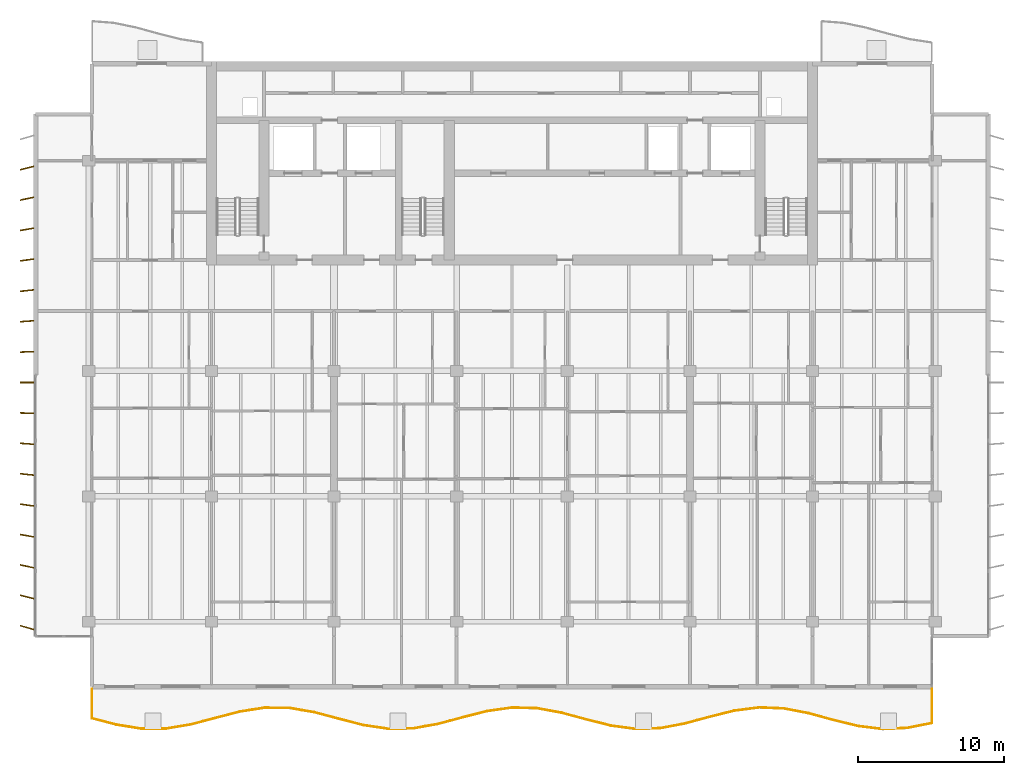
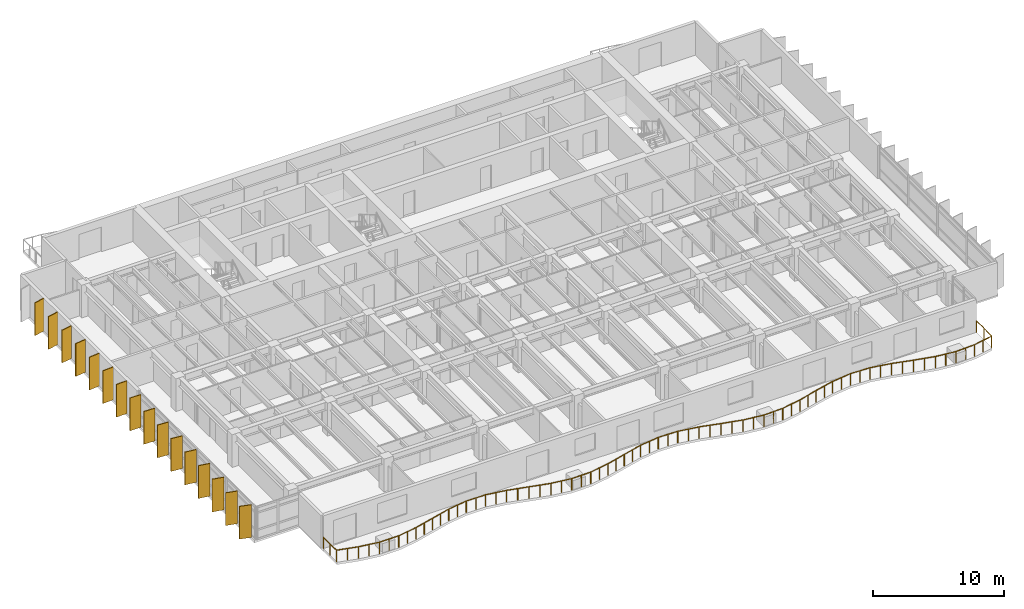
# One storey, part 16 of 19: 16 shading devices, 1 railing.
"""IFC4 building model written with IfcOpenShell, lengths in metres."""

from ifc_helpers import new_model, si_unit, direction, frame, origin, origin_2d, place, context, subcontext, project, spatial, rectangle, circle, extrude, material, material_profile, profile_set, type_object, element, save


model = new_model("IFC4")

# Units and contexts
model_context = context("Model", 3, precision=1e-05, world=origin(), true_north=direction((0.0, 1.0)))
body_context = subcontext(model_context, "Body", "Model", "MODEL_VIEW")
ifc_project = project(units=[si_unit("LENGTHUNIT", "METRE"), si_unit("AREAUNIT", "SQUARE_METRE"), si_unit("VOLUMEUNIT", "CUBIC_METRE"), si_unit("PLANEANGLEUNIT", "RADIAN"), si_unit("MASSUNIT", "GRAM", prefix="KILO")], contexts=[model_context])

# Site, building, storey
site_placement = place(None, origin())
site = spatial("IfcSite", under=ifc_project, at=site_placement, CompositionType="ELEMENT")
building_placement = place(site_placement, origin())
building = spatial("IfcBuilding", under=site, at=building_placement, Name="Caelmar Bay Residences", CompositionType="ELEMENT")
storey_placement = place(building_placement, frame((0.0, 0.0, 191.699951171875)))
storey = spatial("IfcBuildingStorey", under=building, at=storey_placement, Name="L53", CompositionType="ELEMENT", Elevation=191.699951171875)

# Railing
ifc_material_1 = material(Name="Anodised bronze handrail with laminated hurricane glass infill", Category="glass")
railing_type = type_object("IfcRailingType", Name="RL-BAL-1100", PredefinedType="BALUSTRADE", material=ifc_material_1)
railing_placement = place(storey_placement, frame((10.10009765625, 7.60009765625, 0.0)))
element("IfcRailing", 1, at=railing_placement, inside=storey, type_object=railing_type, Name="L53 south Balcony Balustrade", PredefinedType="BALUSTRADE", context=body_context, shape_type="SweptSolid", body=[
    extrude(circle(Radius=0.02392578125, at=origin_2d()), frame((0.0, 0.0, 1.076171875), z_axis=(0.0, -1.0, 0.0), x_axis=(1.0, 0.0, 0.0)), (0.0, 0.0, 1.0), 2.02001953125),
    extrude(circle(Radius=0.02392578125, at=origin_2d()), frame((0.0, -2.02001953125, 1.076171875), z_axis=(0.967316068749, -0.253573703567, 0.0), x_axis=(0.253573703567, 0.967316068749, 0.0)), (0.0, 0.0, 1.0), 1.751220703125),
    extrude(circle(Radius=0.02392578125, at=origin_2d()), frame((1.694091796875, -2.464111328125, 1.076171875), z_axis=(0.987379289036, -0.158373418172, 0.0), x_axis=(0.158373418172, 0.987379289036, 0.0)), (0.0, 0.0, 1.0), 1.7158203125),
    extrude(circle(Radius=0.02392578125, at=origin_2d()), frame((3.38818359375, -2.73583984375, 1.076171875), z_axis=(0.999992980303, 0.003746911297, 0.0), x_axis=(-0.003746911297, 0.999992980303, 0.0)), (0.0, 0.0, 1.0), 1.694091796875),
    extrude(circle(Radius=0.02392578125, at=origin_2d()), frame((5.082275390625, -2.7294921875, 1.076171875), z_axis=(0.98647449258, 0.163914842188, 0.0), x_axis=(-0.163914842188, 0.98647449258, 0.0)), (0.0, 0.0, 1.0), 1.71728515625),
    extrude(circle(Radius=0.02392578125, at=origin_2d()), frame((6.7763671875, -2.447998046875, 1.076171875), z_axis=(0.966801461741, 0.255528733367, 0.0), x_axis=(-0.255528733367, 0.966801461741, 0.0)), (0.0, 0.0, 1.0), 1.752197265625),
    extrude(circle(Radius=0.02392578125, at=origin_2d()), frame((8.470458984375, -2.000244140625, 1.076171875), z_axis=(0.967895162312, 0.251354241604, 0.0), x_axis=(-0.251354241604, 0.967895162312, 0.0)), (0.0, 0.0, 1.0), 1.750244140625),
    extrude(circle(Radius=0.02392578125, at=origin_2d()), frame((10.16455078125, -1.560302734375, 1.076171875), z_axis=(0.988276004953, 0.152677889798, 0.0), x_axis=(-0.152677889798, 0.988276004953, 0.0)), (0.0, 0.0, 1.0), 1.714111328125),
    extrude(circle(Radius=0.02392578125, at=origin_2d()), frame((11.858642578125, -1.298583984375, 1.076171875), z_axis=(0.999940025817, -0.010951929956, 0.0), x_axis=(0.010951929956, 0.999940025817, 0.0)), (0.0, 0.0, 1.0), 1.694091796875),
    extrude(circle(Radius=0.02392578125, at=origin_2d()), frame((13.552734375, -1.317138671875, 1.076171875), z_axis=(0.985520725167, -0.169555006607, 0.0), x_axis=(0.169555006607, 0.985520725167, 0.0)), (0.0, 0.0, 1.0), 1.71923828125),
    extrude(circle(Radius=0.02392578125, at=origin_2d()), frame((15.2470703125, -1.608642578125, 1.076171875), z_axis=(0.966318097906, -0.257350604544, 0.0), x_axis=(0.257350604544, 0.966318097906, 0.0)), (0.0, 0.0, 1.0), 1.753173828125),
    extrude(circle(Radius=0.02392578125, at=origin_2d()), frame((16.941162109375, -2.059814453125, 1.076171875), z_axis=(0.968503511983, -0.248999894131, 0.0), x_axis=(0.248999894131, 0.968503511983, 0.0)), (0.0, 0.0, 1.0), 1.749267578125),
    extrude(circle(Radius=0.02392578125, at=origin_2d()), frame((18.63525390625, -2.495361328125, 1.076171875), z_axis=(0.98918278696, -0.146688152152, 0.0), x_axis=(0.146688152152, 0.98918278696, 0.0)), (0.0, 0.0, 1.0), 1.712646484375),
    extrude(circle(Radius=0.02392578125, at=origin_2d()), frame((20.329345703125, -2.74658203125, 1.076171875), z_axis=(0.999835179989, 0.018155243216, 0.0), x_axis=(-0.018155243216, 0.999835179989, 0.0)), (0.0, 0.0, 1.0), 1.6943359375),
    extrude(circle(Radius=0.02392578125, at=origin_2d()), frame((22.0234375, -2.7158203125, 1.076171875), z_axis=(0.984577175613, 0.174950808118, 0.0), x_axis=(-0.174950808118, 0.984577175613, 0.0)), (0.0, 0.0, 1.0), 1.720703125),
    extrude(circle(Radius=0.02392578125, at=origin_2d()), frame((23.717529296875, -2.414794921875, 1.076171875), z_axis=(0.96590144292, 0.258910027934, 0.0), x_axis=(-0.258910027934, 0.96590144292, 0.0)), (0.0, 0.0, 1.0), 1.75390625),
    extrude(circle(Radius=0.02392578125, at=origin_2d()), frame((25.41162109375, -1.960693359375, 1.076171875), z_axis=(0.969106885695, 0.246641124101, 0.0), x_axis=(-0.246641124101, 0.969106885695, 0.0)), (0.0, 0.0, 1.0), 1.748046875),
    extrude(circle(Radius=0.02392578125, at=origin_2d()), frame((27.105712890625, -1.529541015625, 1.076171875), z_axis=(0.990054800784, 0.140682235707, 0.0), x_axis=(-0.140682235707, 0.990054800784, 0.0)), (0.0, 0.0, 1.0), 1.711181640625),
    extrude(circle(Radius=0.02392578125, at=origin_2d()), frame((28.7998046875, -1.288818359375, 1.076171875), z_axis=(0.999674829685, -0.025499703827, 0.0), x_axis=(0.025499703827, 0.999674829685, 0.0)), (0.0, 0.0, 1.0), 1.694580078125),
    extrude(circle(Radius=0.02392578125, at=origin_2d()), frame((30.493896484375, -1.33203125, 1.076171875), z_axis=(0.983660572564, -0.180032991376, 0.0), x_axis=(0.180032991376, 0.983660572564, 0.0)), (0.0, 0.0, 1.0), 1.72216796875),
    extrude(circle(Radius=0.02392578125, at=origin_2d()), frame((32.18798828125, -1.64208984375, 1.076171875), z_axis=(0.965492072584, -0.260432443786, 0.0), x_axis=(0.260432443786, 0.965492072584, 0.0)), (0.0, 0.0, 1.0), 1.7548828125),
    extrude(circle(Radius=0.02392578125, at=origin_2d()), frame((33.88232421875, -2.09912109375, 1.076171875), z_axis=(0.969771427493, -0.24401511924, 0.0), x_axis=(0.24401511924, 0.969771427493, 0.0)), (0.0, 0.0, 1.0), 1.746826171875),
    extrude(circle(Radius=0.02392578125, at=origin_2d()), frame((35.576416015625, -2.525390625, 1.076171875), z_axis=(0.990910806359, -0.134520533159, 0.0), x_axis=(0.134520533159, 0.990910806359, 0.0)), (0.0, 0.0, 1.0), 1.709716796875),
    extrude(circle(Radius=0.02392578125, at=origin_2d()), frame((37.2705078125, -2.75537109375, 1.076171875), z_axis=(0.999470034304, 0.032552273779, 0.0), x_axis=(-0.032552273779, 0.999470034304, 0.0)), (0.0, 0.0, 1.0), 1.695068359375),
    extrude(circle(Radius=0.02392578125, at=origin_2d()), frame((38.964599609375, -2.7001953125, 1.076171875), z_axis=(0.982667981804, 0.185374317363, 0.0), x_axis=(-0.185374317363, 0.982667981804, 0.0)), (0.0, 0.0, 1.0), 1.723876953125),
    extrude(circle(Radius=0.02392578125, at=origin_2d()), frame((40.65869140625, -2.380615234375, 1.076171875), z_axis=(0.965167121491, 0.261634148368, 0.0), x_axis=(-0.261634148368, 0.965167121491, 0.0)), (0.0, 0.0, 1.0), 1.755126953125),
    extrude(circle(Radius=0.02392578125, at=origin_2d()), frame((42.352783203125, -1.92138671875, 1.076171875), z_axis=(0.970503363819, 0.241087579139, 0.0), x_axis=(-0.241087579139, 0.970503363819, 0.0)), (0.0, 0.0, 1.0), 1.745849609375),
    extrude(circle(Radius=0.02392578125, at=origin_2d()), frame((44.047119140625, -1.50048828125, 1.076171875), z_axis=(0.991711614324, 0.128483750004, 0.0), x_axis=(-0.128483750004, 0.991711614324, 0.0)), (0.0, 0.0, 1.0), 1.708251953125),
    extrude(circle(Radius=0.02392578125, at=origin_2d()), frame((45.7412109375, -1.281005859375, 1.076171875), z_axis=(0.999204175887, -0.03988752799, 0.0), x_axis=(0.03988752799, 0.999204175887, 0.0)), (0.0, 0.0, 1.0), 1.695556640625),
    extrude(circle(Radius=0.02392578125, at=origin_2d()), frame((47.435302734375, -1.3486328125, 1.076171875), z_axis=(0.981727876523, -0.190290242675, 0.0), x_axis=(0.190290242675, 0.981727876523, 0.0)), (0.0, 0.0, 1.0), 1.7255859375),
    extrude(circle(Radius=0.02392578125, at=origin_2d()), frame((49.12939453125, -1.677001953125, 1.076171875), z_axis=(0.964850406209, -0.262799721535, 0.0), x_axis=(0.262799721535, 0.964850406209, 0.0)), (0.0, 0.0, 1.0), 1.755859375),
    extrude(circle(Radius=0.02392578125, at=origin_2d()), frame((50.823486328125, -2.138427734375, 1.076171875), z_axis=(0.971211455087, -0.238219036829, 0.0), x_axis=(0.238219036829, 0.971211455087, 0.0)), (0.0, 0.0, 1.0), 1.744384765625),
    extrude(circle(Radius=0.02392578125, at=origin_2d()), frame((52.517578125, -2.553955078125, 1.076171875), z_axis=(0.992528875656, -0.122009962665, 0.0), x_axis=(0.122009962665, 0.992528875656, 0.0)), (0.0, 0.0, 1.0), 1.706787109375),
    extrude(circle(Radius=0.02392578125, at=origin_2d()), frame((54.211669921875, -2.76220703125, 1.076171875), z_axis=(0.998891465735, 0.04707270634, 0.0), x_axis=(-0.04707270634, 0.998891465735, 0.0)), (0.0, 0.0, 1.0), 1.696044921875),
    extrude(circle(Radius=0.02392578125, at=origin_2d()), frame((55.90576171875, -2.682373046875, 1.076171875), z_axis=(0.980792119991, 0.195055933937, 0.0), x_axis=(-0.195055933937, 0.980792119991, 0.0)), (0.0, 0.0, 1.0), 1.727294921875),
    extrude(circle(Radius=0.02392578125, at=origin_2d()), frame((57.599853515625, -2.345458984375, 1.076171875), z_axis=(0.0, 1.0, 0.0), x_axis=(-1.0, 0.0, 0.0)), (0.0, 0.0, 1.0), 2.345458984375),
    extrude(circle(Radius=0.02099609375, at=origin_2d()), origin(), (0.0, 0.0, 1.0), 1.052001953125),
    extrude(circle(Radius=0.02099609375, at=origin_2d()), frame((0.0, -1.010009765625, 0.0)), (0.0, 0.0, 1.0), 1.052001953125),
    extrude(circle(Radius=0.02099609375, at=origin_2d()), frame((0.0, -2.02001953125, 0.0)), (0.0, 0.0, 1.0), 1.052001953125),
    extrude(circle(Radius=0.02099609375, at=origin_2d()), frame((0.84716796875, -2.2421875, 0.0)), (0.0, 0.0, 1.0), 1.052001953125),
    extrude(circle(Radius=0.02099609375, at=origin_2d()), frame((1.694091796875, -2.464111328125, 0.0)), (0.0, 0.0, 1.0), 1.052001953125),
    extrude(circle(Radius=0.02099609375, at=origin_2d()), frame((2.541015625, -2.60009765625, 0.0)), (0.0, 0.0, 1.0), 1.052001953125),
    extrude(circle(Radius=0.02099609375, at=origin_2d()), frame((3.38818359375, -2.73583984375, 0.0)), (0.0, 0.0, 1.0), 1.052001953125),
    extrude(circle(Radius=0.02099609375, at=origin_2d()), frame((4.2353515625, -2.732666015625, 0.0)), (0.0, 0.0, 1.0), 1.052001953125),
    extrude(circle(Radius=0.02099609375, at=origin_2d()), frame((5.082275390625, -2.7294921875, 0.0)), (0.0, 0.0, 1.0), 1.052001953125),
    extrude(circle(Radius=0.02099609375, at=origin_2d()), frame((5.92919921875, -2.5888671875, 0.0)), (0.0, 0.0, 1.0), 1.052001953125),
    extrude(circle(Radius=0.02099609375, at=origin_2d()), frame((6.7763671875, -2.447998046875, 0.0)), (0.0, 0.0, 1.0), 1.052001953125),
    extrude(circle(Radius=0.02099609375, at=origin_2d()), frame((7.62353515625, -2.22412109375, 0.0)), (0.0, 0.0, 1.0), 1.052001953125),
    extrude(circle(Radius=0.02099609375, at=origin_2d()), frame((8.470458984375, -2.000244140625, 0.0)), (0.0, 0.0, 1.0), 1.052001953125),
    extrude(circle(Radius=0.02099609375, at=origin_2d()), frame((9.3173828125, -1.7802734375, 0.0)), (0.0, 0.0, 1.0), 1.052001953125),
    extrude(circle(Radius=0.02099609375, at=origin_2d()), frame((10.16455078125, -1.560302734375, 0.0)), (0.0, 0.0, 1.0), 1.052001953125),
    extrude(circle(Radius=0.02099609375, at=origin_2d()), frame((11.01171875, -1.429443359375, 0.0)), (0.0, 0.0, 1.0), 1.052001953125),
    extrude(circle(Radius=0.02099609375, at=origin_2d()), frame((11.858642578125, -1.298583984375, 0.0)), (0.0, 0.0, 1.0), 1.052001953125),
    extrude(circle(Radius=0.02099609375, at=origin_2d()), frame((12.70556640625, -1.307861328125, 0.0)), (0.0, 0.0, 1.0), 1.052001953125),
    extrude(circle(Radius=0.02099609375, at=origin_2d()), frame((13.552734375, -1.317138671875, 0.0)), (0.0, 0.0, 1.0), 1.052001953125),
    extrude(circle(Radius=0.02099609375, at=origin_2d()), frame((14.39990234375, -1.462890625, 0.0)), (0.0, 0.0, 1.0), 1.052001953125),
    extrude(circle(Radius=0.02099609375, at=origin_2d()), frame((15.2470703125, -1.608642578125, 0.0)), (0.0, 0.0, 1.0), 1.052001953125),
    extrude(circle(Radius=0.02099609375, at=origin_2d()), frame((16.09423828125, -1.834228515625, 0.0)), (0.0, 0.0, 1.0), 1.052001953125),
    extrude(circle(Radius=0.02099609375, at=origin_2d()), frame((16.941162109375, -2.059814453125, 0.0)), (0.0, 0.0, 1.0), 1.052001953125),
    extrude(circle(Radius=0.02099609375, at=origin_2d()), frame((17.7880859375, -2.277587890625, 0.0)), (0.0, 0.0, 1.0), 1.052001953125),
    extrude(circle(Radius=0.02099609375, at=origin_2d()), frame((18.63525390625, -2.495361328125, 0.0)), (0.0, 0.0, 1.0), 1.052001953125),
    extrude(circle(Radius=0.02099609375, at=origin_2d()), frame((19.482421875, -2.62109375, 0.0)), (0.0, 0.0, 1.0), 1.052001953125),
    extrude(circle(Radius=0.02099609375, at=origin_2d()), frame((20.329345703125, -2.74658203125, 0.0)), (0.0, 0.0, 1.0), 1.052001953125),
    extrude(circle(Radius=0.02099609375, at=origin_2d()), frame((21.17626953125, -2.731201171875, 0.0)), (0.0, 0.0, 1.0), 1.052001953125),
    extrude(circle(Radius=0.02099609375, at=origin_2d()), frame((22.0234375, -2.7158203125, 0.0)), (0.0, 0.0, 1.0), 1.052001953125),
    extrude(circle(Radius=0.02099609375, at=origin_2d()), frame((22.87060546875, -2.5654296875, 0.0)), (0.0, 0.0, 1.0), 1.052001953125),
    extrude(circle(Radius=0.02099609375, at=origin_2d()), frame((23.717529296875, -2.414794921875, 0.0)), (0.0, 0.0, 1.0), 1.052001953125),
    extrude(circle(Radius=0.02099609375, at=origin_2d()), frame((24.564453125, -2.187744140625, 0.0)), (0.0, 0.0, 1.0), 1.052001953125),
    extrude(circle(Radius=0.02099609375, at=origin_2d()), frame((25.41162109375, -1.960693359375, 0.0)), (0.0, 0.0, 1.0), 1.052001953125),
    extrude(circle(Radius=0.02099609375, at=origin_2d()), frame((26.2587890625, -1.7451171875, 0.0)), (0.0, 0.0, 1.0), 1.052001953125),
    extrude(circle(Radius=0.02099609375, at=origin_2d()), frame((27.105712890625, -1.529541015625, 0.0)), (0.0, 0.0, 1.0), 1.052001953125),
    extrude(circle(Radius=0.02099609375, at=origin_2d()), frame((27.95263671875, -1.4091796875, 0.0)), (0.0, 0.0, 1.0), 1.052001953125),
    extrude(circle(Radius=0.02099609375, at=origin_2d()), frame((28.7998046875, -1.288818359375, 0.0)), (0.0, 0.0, 1.0), 1.052001953125),
    extrude(circle(Radius=0.02099609375, at=origin_2d()), frame((29.64697265625, -1.310546875, 0.0)), (0.0, 0.0, 1.0), 1.052001953125),
    extrude(circle(Radius=0.02099609375, at=origin_2d()), frame((30.493896484375, -1.33203125, 0.0)), (0.0, 0.0, 1.0), 1.052001953125),
    extrude(circle(Radius=0.02099609375, at=origin_2d()), frame((31.3408203125, -1.487060546875, 0.0)), (0.0, 0.0, 1.0), 1.052001953125),
    extrude(circle(Radius=0.02099609375, at=origin_2d()), frame((32.18798828125, -1.64208984375, 0.0)), (0.0, 0.0, 1.0), 1.052001953125),
    extrude(circle(Radius=0.02099609375, at=origin_2d()), frame((33.03515625, -1.87060546875, 0.0)), (0.0, 0.0, 1.0), 1.052001953125),
    extrude(circle(Radius=0.02099609375, at=origin_2d()), frame((33.88232421875, -2.09912109375, 0.0)), (0.0, 0.0, 1.0), 1.052001953125),
    extrude(circle(Radius=0.02099609375, at=origin_2d()), frame((34.7294921875, -2.312255859375, 0.0)), (0.0, 0.0, 1.0), 1.052001953125),
    extrude(circle(Radius=0.02099609375, at=origin_2d()), frame((35.576416015625, -2.525390625, 0.0)), (0.0, 0.0, 1.0), 1.052001953125),
    extrude(circle(Radius=0.02099609375, at=origin_2d()), frame((36.42333984375, -2.640380859375, 0.0)), (0.0, 0.0, 1.0), 1.052001953125),
    extrude(circle(Radius=0.02099609375, at=origin_2d()), frame((37.2705078125, -2.75537109375, 0.0)), (0.0, 0.0, 1.0), 1.052001953125),
    extrude(circle(Radius=0.02099609375, at=origin_2d()), frame((38.11767578125, -2.727783203125, 0.0)), (0.0, 0.0, 1.0), 1.052001953125),
    extrude(circle(Radius=0.02099609375, at=origin_2d()), frame((38.964599609375, -2.7001953125, 0.0)), (0.0, 0.0, 1.0), 1.052001953125),
    extrude(circle(Radius=0.02099609375, at=origin_2d()), frame((39.8115234375, -2.54052734375, 0.0)), (0.0, 0.0, 1.0), 1.052001953125),
    extrude(circle(Radius=0.02099609375, at=origin_2d()), frame((40.65869140625, -2.380615234375, 0.0)), (0.0, 0.0, 1.0), 1.052001953125),
    extrude(circle(Radius=0.02099609375, at=origin_2d()), frame((41.505859375, -2.15087890625, 0.0)), (0.0, 0.0, 1.0), 1.052001953125),
    extrude(circle(Radius=0.02099609375, at=origin_2d()), frame((42.352783203125, -1.92138671875, 0.0)), (0.0, 0.0, 1.0), 1.052001953125),
    extrude(circle(Radius=0.02099609375, at=origin_2d()), frame((43.199951171875, -1.7109375, 0.0)), (0.0, 0.0, 1.0), 1.052001953125),
    extrude(circle(Radius=0.02099609375, at=origin_2d()), frame((44.047119140625, -1.50048828125, 0.0)), (0.0, 0.0, 1.0), 1.052001953125),
    extrude(circle(Radius=0.02099609375, at=origin_2d()), frame((44.89404296875, -1.390625, 0.0)), (0.0, 0.0, 1.0), 1.052001953125),
    extrude(circle(Radius=0.02099609375, at=origin_2d()), frame((45.7412109375, -1.281005859375, 0.0)), (0.0, 0.0, 1.0), 1.052001953125),
    extrude(circle(Radius=0.02099609375, at=origin_2d()), frame((46.58837890625, -1.31494140625, 0.0)), (0.0, 0.0, 1.0), 1.052001953125),
    extrude(circle(Radius=0.02099609375, at=origin_2d()), frame((47.435302734375, -1.3486328125, 0.0)), (0.0, 0.0, 1.0), 1.052001953125),
    extrude(circle(Radius=0.02099609375, at=origin_2d()), frame((48.2822265625, -1.5126953125, 0.0)), (0.0, 0.0, 1.0), 1.052001953125),
    extrude(circle(Radius=0.02099609375, at=origin_2d()), frame((49.12939453125, -1.677001953125, 0.0)), (0.0, 0.0, 1.0), 1.052001953125),
    extrude(circle(Radius=0.02099609375, at=origin_2d()), frame((49.9765625, -1.90771484375, 0.0)), (0.0, 0.0, 1.0), 1.052001953125),
    extrude(circle(Radius=0.02099609375, at=origin_2d()), frame((50.823486328125, -2.138427734375, 0.0)), (0.0, 0.0, 1.0), 1.052001953125),
    extrude(circle(Radius=0.02099609375, at=origin_2d()), frame((51.67041015625, -2.34619140625, 0.0)), (0.0, 0.0, 1.0), 1.052001953125),
    extrude(circle(Radius=0.02099609375, at=origin_2d()), frame((52.517578125, -2.553955078125, 0.0)), (0.0, 0.0, 1.0), 1.052001953125),
    extrude(circle(Radius=0.02099609375, at=origin_2d()), frame((53.36474609375, -2.658203125, 0.0)), (0.0, 0.0, 1.0), 1.052001953125),
    extrude(circle(Radius=0.02099609375, at=origin_2d()), frame((54.211669921875, -2.76220703125, 0.0)), (0.0, 0.0, 1.0), 1.052001953125),
    extrude(circle(Radius=0.02099609375, at=origin_2d()), frame((55.05859375, -2.72216796875, 0.0)), (0.0, 0.0, 1.0), 1.052001953125),
    extrude(circle(Radius=0.02099609375, at=origin_2d()), frame((55.90576171875, -2.682373046875, 0.0)), (0.0, 0.0, 1.0), 1.052001953125),
    extrude(circle(Radius=0.02099609375, at=origin_2d()), frame((56.7529296875, -2.513916015625, 0.0)), (0.0, 0.0, 1.0), 1.052001953125),
    extrude(circle(Radius=0.02099609375, at=origin_2d()), frame((57.599853515625, -2.345458984375, 0.0)), (0.0, 0.0, 1.0), 1.052001953125),
    extrude(circle(Radius=0.02099609375, at=origin_2d()), frame((57.599853515625, -1.1728515625, 0.0)), (0.0, 0.0, 1.0), 1.052001953125),
    extrude(circle(Radius=0.02099609375, at=origin_2d()), frame((57.599853515625, 0.0, 0.0)), (0.0, 0.0, 1.0), 1.052001953125),
])

# Shading devices
ifc_material_2 = material(Name="Anodised architectural bronze aluminium 6063-T6", Category="aluminium")
ifc_material_profile = material_profile(ifc_material_2, rectangle(XDim=0.074951171875, YDim=0.949951171875, at=origin_2d()), Name="BRONZE-FIN-75X950")
ifc_profile_set = profile_set([ifc_material_profile], Name="Anodised architectural bronze aluminium 6063-T6")
shading_device_type = type_object("IfcShadingDeviceType", Name="SHD-FIN-950", PredefinedType="USERDEFINED", material=ifc_profile_set)
for number, where, z_axis, x_axis, name in (
    (2, (5.64990234375, 11.800048828125, 0.0), (0.0, 0.0, 1.0), (0.275637355817, 0.961261695938, 0.0), "L53 West Bronze Solar Fin 1"),
    (3, (5.64990234375, 13.89990234375, 0.0), (0.0, 0.0, 1.0), (0.2419218956, 0.970295726276, 0.0), "L53 West Bronze Solar Fin 2"),
    (4, (5.64990234375, 16.0, 0.0), (0.0, 0.0, 1.0), (0.207911690818, 0.978147600734, 0.0), "L53 West Bronze Solar Fin 3"),
    (5, (5.64990234375, 18.10009765625, 0.0), (0.0, 0.0, 1.0), (0.173648177667, 0.984807753012, 0.0), "L53 West Bronze Solar Fin 4"),
    (6, (5.64990234375, 20.199951171875, 0.0), (0.0, 0.0, 1.0), (0.13917310096, 0.990268068742, 0.0), "L53 West Bronze Solar Fin 5"),
    (7, (5.64990234375, 22.300048828125, 0.0), (0.0, 0.0, 1.0), (0.104528463268, 0.994521895368, 0.0), "L53 West Bronze Solar Fin 6"),
    (8, (5.64990234375, 24.39990234375, 0.0), (0.0, 0.0, 1.0), (0.069756473744, 0.99756405026, 0.0), "L53 West Bronze Solar Fin 7"),
    (9, (5.64990234375, 26.5, 0.0), (0.0, 0.0, 1.0), (0.034899496703, 0.999390827019, 0.0), "L53 West Bronze Solar Fin 8"),
    (10, (5.64990234375, 28.60009765625, 0.0), (0.0, 0.0, 1.0), (0.0, 1.0, 0.0), "L53 West Bronze Solar Fin 9"),
    (11, (5.64990234375, 30.699951171875, 0.0), (0.0, 0.0, 1.0), (-0.034899496703, 0.999390827019, 0.0), "L53 West Bronze Solar Fin 10"),
    (12, (5.64990234375, 32.800048828125, 0.0), (0.0, 0.0, 1.0), (-0.069756473744, 0.99756405026, 0.0), "L53 West Bronze Solar Fin 11"),
    (13, (5.64990234375, 34.89990234375, 0.0), (0.0, 0.0, 1.0), (-0.104528463268, 0.994521895368, 0.0), "L53 West Bronze Solar Fin 12"),
    (14, (5.64990234375, 37.0, 0.0), (0.0, 0.0, 1.0), (-0.13917310096, 0.990268068742, 0.0), "L53 West Bronze Solar Fin 13"),
    (15, (5.64990234375, 39.10009765625, 0.0), (0.0, 0.0, 1.0), (-0.173648177667, 0.984807753012, 0.0), "L53 West Bronze Solar Fin 14"),
    (16, (5.64990234375, 41.199951171875, 0.0), (0.0, 0.0, 1.0), (-0.207911690818, 0.978147600734, 0.0), "L53 West Bronze Solar Fin 15"),
    (17, (5.64990234375, 43.300048828125, 0.0), (0.0, 0.0, 1.0), (-0.2419218956, 0.970295726276, 0.0), "L53 West Bronze Solar Fin 16"),
):
    element("IfcShadingDevice", number, at=place(storey_placement, frame(where, z_axis=z_axis, x_axis=x_axis)), inside=storey, type_object=shading_device_type, Name=name, ObjectType="FIN", PredefinedType="USERDEFINED", context=body_context, shape_type="SweptSolid", body=[
        extrude(rectangle(XDim=0.074951171875, YDim=0.949951171875, at=origin_2d()), origin(), (0.0, 0.0, 1.0), 3.050048828125),
    ])

save(model, "model.ifc")
